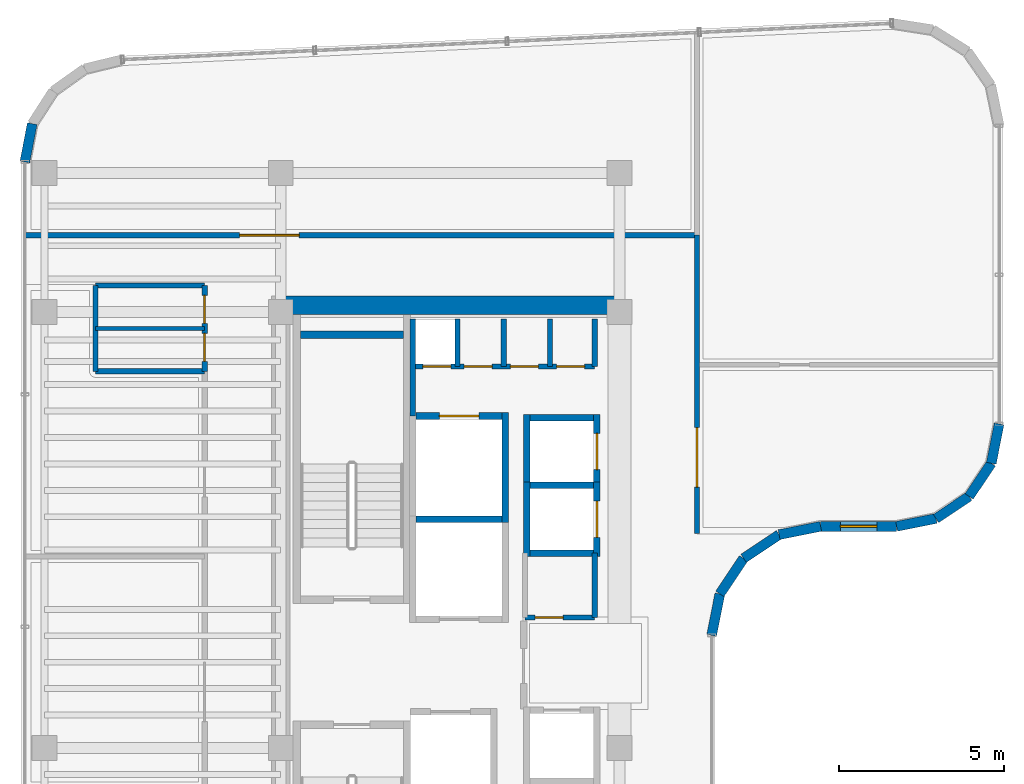
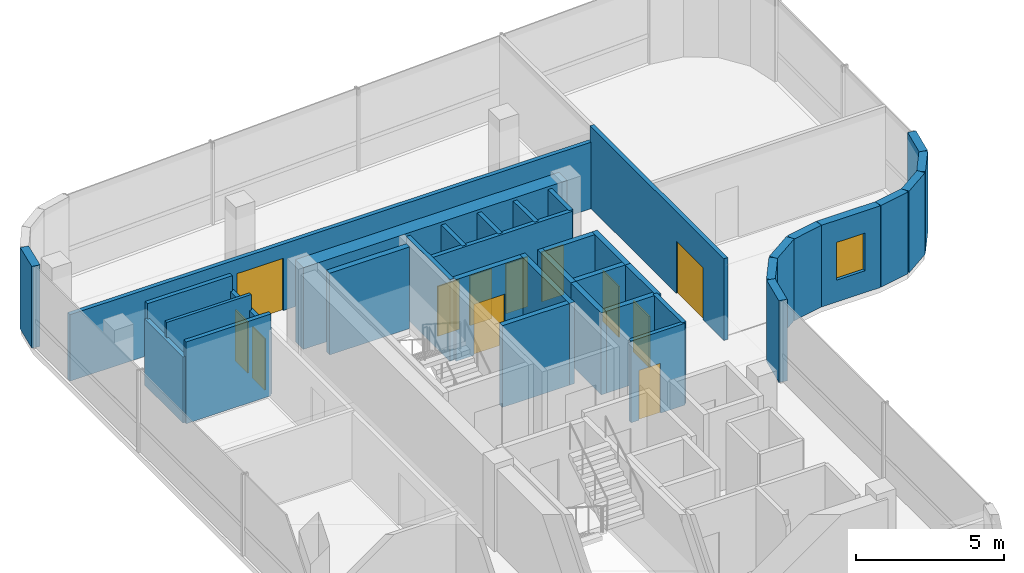
# One storey, part 14 of 17: 37 walls, 12 doors, 1 window, 13 openings.
"""IFC4 building model written with IfcOpenShell, lengths in metres."""

from ifc_helpers import new_model, si_unit, direction, frame, frame_2d, origin, place, context, subcontext, project, spatial, rectangle, extrude, material, layer, layer_set, type_object, element, fill, save


model = new_model("IFC4")

# Units and contexts
model_context = context("Model", 3, precision=1e-05, world=origin(), true_north=direction((0.0, 1.0)))
body_context = subcontext(model_context, "Body", "Model", "MODEL_VIEW")
ifc_project = project(units=[si_unit("LENGTHUNIT", "METRE"), si_unit("AREAUNIT", "SQUARE_METRE"), si_unit("VOLUMEUNIT", "CUBIC_METRE"), si_unit("PLANEANGLEUNIT", "RADIAN"), si_unit("MASSUNIT", "GRAM", prefix="KILO")], contexts=[model_context])

# Site, building, storey
site_placement = place(None, origin())
site = spatial("IfcSite", under=ifc_project, at=site_placement, CompositionType="ELEMENT")
building_placement = place(site_placement, origin())
building = spatial("IfcBuilding", under=site, at=building_placement, Name="Valdorenza Pilgrim Sanctuary Tower", CompositionType="ELEMENT")
storey_placement = place(building_placement, frame((0.0, 0.0, 287.0)))
storey = spatial("IfcBuildingStorey", under=building, at=storey_placement, Name="L75", CompositionType="ELEMENT", Elevation=287.0)

# Wall
ifc_material_1 = material(Name="Acoustic twin-stud gypsum partition", Category="gypsum")
ifc_layer_1 = layer(ifc_material_1, 0.159912109375, Name="Acoustic twin-stud gypsum partition")
ifc_layer_set_1 = layer_set([ifc_layer_1], Name="Acoustic twin-stud gypsum partition")
wall_type_1 = type_object("IfcWallType", Name="WAL-COR-160", PredefinedType="PARTITIONING", material=ifc_layer_set_1)
wall_1_placement = place(storey_placement, frame((-18.64990234375, 7.449951171875, 0.0), z_axis=(0.0, 0.0, 1.0), x_axis=(0.0, 1.0, 0.0)))
element("IfcWall", 1, at=wall_1_placement, inside=storey, type_object=wall_type_1, Name="L75 Core A North Service West Wall", PredefinedType="PARTITIONING", context=body_context, shape_type="SweptSolid", body=[
    extrude(rectangle(XDim=2.929931640625, YDim=0.159912109375, at=frame_2d((1.46484375, 0.0))), origin(), (0.0, 0.0, 1.0), 3.360107421875),
])

# Wall, openings, doors
wall_2_placement = place(storey_placement, frame((-18.64990234375, 8.949951171875, 0.0), z_axis=(0.0, 0.0, 1.0), x_axis=(1.0, 0.0, 0.0)))
wall_2 = element("IfcWall", 2, at=wall_2_placement, inside=storey, type_object=wall_type_1, Name="L75 Core A North Service South Wall", PredefinedType="PARTITIONING", context=body_context, shape_type="SweptSolid", body=[
    extrude(rectangle(XDim=5.5, YDim=0.159912109375, at=frame_2d((2.75, 0.0))), origin(), (0.0, 0.0, 1.0), 3.360107421875),
])
opening_1_placement = place(wall_2_placement, frame((0.300048828125, 0.0, 0.0)))
opening_1 = element("IfcOpeningElement", 3, at=opening_1_placement, cuts=wall_2, Name="Opening DR-RS1", PredefinedType="OPENING", context=body_context, shape_type="SweptSolid", body=[
    extrude(rectangle(XDim=0.85009765625, YDim=2.050048828125, at=frame_2d((0.425048828125, 1.02490234375))), frame((0.0, 0.0947265625, 0.0), z_axis=(0.0, -1.0, 0.0), x_axis=(1.0, 0.0, 0.0)), (0.0, 0.0, 1.0), 0.189697265625),
])
opening_2_placement = place(wall_2_placement, frame((1.550048828125, 0.0, 0.0)))
opening_2 = element("IfcOpeningElement", 4, at=opening_2_placement, cuts=wall_2, Name="Opening DR-RS1", PredefinedType="OPENING", context=body_context, shape_type="SweptSolid", body=[
    extrude(rectangle(XDim=0.85009765625, YDim=2.050048828125, at=frame_2d((0.425048828125, 1.02490234375))), frame((0.0, 0.0947265625, 0.0), z_axis=(0.0, -1.0, 0.0), x_axis=(1.0, 0.0, 0.0)), (0.0, 0.0, 1.0), 0.189697265625),
])
opening_3_placement = place(wall_2_placement, frame((2.949951171875, 0.0, 0.0)))
opening_3 = element("IfcOpeningElement", 5, at=opening_3_placement, cuts=wall_2, Name="Opening DR-RS1", PredefinedType="OPENING", context=body_context, shape_type="SweptSolid", body=[
    extrude(rectangle(XDim=0.85009765625, YDim=2.050048828125, at=frame_2d((0.425048828125, 1.02490234375))), frame((0.0, 0.0947265625, 0.0), z_axis=(0.0, -1.0, 0.0), x_axis=(1.0, 0.0, 0.0)), (0.0, 0.0, 1.0), 0.189697265625),
])
opening_4_placement = place(wall_2_placement, frame((4.35009765625, 0.0, 0.0)))
opening_4 = element("IfcOpeningElement", 6, at=opening_4_placement, cuts=wall_2, Name="Opening DR-RS1", PredefinedType="OPENING", context=body_context, shape_type="SweptSolid", body=[
    extrude(rectangle(XDim=0.85009765625, YDim=2.050048828125, at=frame_2d((0.425048828125, 1.02490234375))), frame((0.0, 0.0947265625, 0.0), z_axis=(0.0, -1.0, 0.0), x_axis=(1.0, 0.0, 0.0)), (0.0, 0.0, 1.0), 0.189697265625),
])
ifc_material_2 = material(Name="Painted galvanized steel", Category="steel")
door_type_1 = type_object("IfcDoorType", Name="DR-RSR-850", OperationType="NOTDEFINED", PredefinedType="DOOR", material=ifc_material_2)
door_1_placement = place(opening_1_placement, origin())
door_1 = element("IfcDoor", 7, at=door_1_placement, inside=storey, type_object=door_type_1, Name="L75 Core Electrical and Telecom Riser Door", OperationType="SINGLE_SWING_LEFT", OverallHeight=2.050048828125, OverallWidth=0.85009765625, PredefinedType="DOOR", context=body_context, shape_type="SweptSolid", body=[
    extrude(rectangle(XDim=0.85009765625, YDim=2.050048828125, at=frame_2d((0.425048828125, 1.02490234375))), frame((0.0, 0.02490234375, 0.0), z_axis=(0.0, -1.0, 0.0), x_axis=(1.0, 0.0, 0.0)), (0.0, 0.0, 1.0), 0.050048828125),
])
fill(opening_1, door_1)
door_2_placement = place(opening_2_placement, origin())
door_2 = element("IfcDoor", 8, at=door_2_placement, inside=storey, type_object=door_type_1, Name="L75 Core Janitor and Maintenance Store Door", OperationType="SINGLE_SWING_RIGHT", OverallHeight=2.050048828125, OverallWidth=0.85009765625, PredefinedType="DOOR", context=body_context, shape_type="SweptSolid", body=[
    extrude(rectangle(XDim=0.85009765625, YDim=2.050048828125, at=frame_2d((0.425048828125, 1.02490234375))), frame((0.0, 0.02490234375, 0.0), z_axis=(0.0, -1.0, 0.0), x_axis=(1.0, 0.0, 0.0)), (0.0, 0.0, 1.0), 0.050048828125),
])
fill(opening_2, door_2)
door_3_placement = place(opening_3_placement, origin())
door_3 = element("IfcDoor", 9, at=door_3_placement, inside=storey, type_object=door_type_1, Name="L75 Core IT Server Closet Door", OperationType="SINGLE_SWING_LEFT", OverallHeight=2.050048828125, OverallWidth=0.85009765625, PredefinedType="DOOR", context=body_context, shape_type="SweptSolid", body=[
    extrude(rectangle(XDim=0.85009765625, YDim=2.050048828125, at=frame_2d((0.425048828125, 1.02490234375))), frame((0.0, 0.02490234375, 0.0), z_axis=(0.0, -1.0, 0.0), x_axis=(1.0, 0.0, 0.0)), (0.0, 0.0, 1.0), 0.050048828125),
])
fill(opening_3, door_3)
door_4_placement = place(opening_4_placement, origin())
door_4 = element("IfcDoor", 10, at=door_4_placement, inside=storey, type_object=door_type_1, Name="L75 Core Staff Washroom Door", OperationType="SINGLE_SWING_RIGHT", OverallHeight=2.050048828125, OverallWidth=0.85009765625, PredefinedType="DOOR", context=body_context, shape_type="SweptSolid", body=[
    extrude(rectangle(XDim=0.85009765625, YDim=2.050048828125, at=frame_2d((0.425048828125, 1.02490234375))), frame((0.0, 0.02490234375, 0.0), z_axis=(0.0, -1.0, 0.0), x_axis=(1.0, 0.0, 0.0)), (0.0, 0.0, 1.0), 0.050048828125),
])
fill(opening_4, door_4)

# Walls
for number, where, z_axis, x_axis, name in (
    (11, (-13.14990234375, 8.949951171875, 0.0), (0.0, 0.0, 1.0), (0.0, 1.0, 0.0), "L75 Core A North Service East Wall"),
    (12, (-17.300048828125, 8.949951171875, 0.0), (0.0, 0.0, 1.0), (0.0, 1.0, 0.0), "L75 Core Electrical Riser Wall"),
    (13, (-15.89990234375, 8.949951171875, 0.0), (0.0, 0.0, 1.0), (0.0, 1.0, 0.0), "L75 Core A Split D1"),
    (14, (-14.5, 8.949951171875, 0.0), (0.0, 0.0, 1.0), (0.0, 1.0, 0.0), "L75 Core A Split D2"),
):
    element("IfcWall", number, at=place(storey_placement, frame(where, z_axis=z_axis, x_axis=x_axis)), inside=storey, type_object=wall_type_1, Name=name, PredefinedType="PARTITIONING", context=body_context, shape_type="SweptSolid", body=[
        extrude(rectangle(XDim=1.429931640625, YDim=0.159912109375, at=frame_2d((0.71484375, 0.0))), origin(), (0.0, 0.0, 1.0), 3.360107421875),
    ])
wall_3_placement = place(storey_placement, frame((-13.14990234375, 1.35009765625, 0.0), z_axis=(0.0, 0.0, 1.0), x_axis=(0.0, 1.0, 0.0)))
element("IfcWall", 15, at=wall_3_placement, inside=storey, type_object=wall_type_1, Name="L75 Freed Shaft 6 East Wall", PredefinedType="PARTITIONING", context=body_context, shape_type="SweptSolid", body=[
    extrude(rectangle(XDim=1.949951171875, YDim=0.159912109375, at=frame_2d((0.97509765625, 0.0))), origin(), (0.0, 0.0, 1.0), 3.360107421875),
])
wall_4_placement = place(storey_placement, frame((-28.25, 8.800048828125, 0.0), z_axis=(0.0, 0.0, 1.0), x_axis=(0.0, 1.0, 0.0)))
element("IfcWall", 16, at=wall_4_placement, inside=storey, type_object=wall_type_1, Name="L75 Washroom West Wall", PredefinedType="PARTITIONING", context=body_context, shape_type="SweptSolid", body=[
    extrude(rectangle(XDim=2.599853515625, YDim=0.159912109375, at=frame_2d((1.2998046875, 0.0))), origin(), (0.0, 0.0, 1.0), 2.722900390625),
])

# Wall, openings, doors
wall_5_placement = place(storey_placement, frame((-24.949951171875, 8.800048828125, 0.0), z_axis=(0.0, 0.0, 1.0), x_axis=(0.0, 1.0, 0.0)))
wall_5 = element("IfcWall", 17, at=wall_5_placement, inside=storey, type_object=wall_type_1, Name="L75 Washroom East Wall", PredefinedType="PARTITIONING", context=body_context, shape_type="SweptSolid", body=[
    extrude(rectangle(XDim=2.599853515625, YDim=0.159912109375, at=frame_2d((1.2998046875, 0.0))), origin(), (0.0, 0.0, 1.0), 2.722900390625),
])
opening_5_placement = place(wall_5_placement, frame((0.300048828125, 0.0, 0.0)))
opening_5 = element("IfcOpeningElement", 18, at=opening_5_placement, cuts=wall_5, Name="Opening DR-WC1", PredefinedType="OPENING", context=body_context, shape_type="SweptSolid", body=[
    extrude(rectangle(XDim=0.85009765625, YDim=2.10009765625, at=frame_2d((0.425048828125, 1.050048828125))), frame((0.0, 0.0947265625, 0.0), z_axis=(0.0, -1.0, 0.0), x_axis=(1.0, 0.0, 0.0)), (0.0, 0.0, 1.0), 0.189697265625),
])
opening_6_placement = place(wall_5_placement, frame((1.449951171875, 0.0, 0.0)))
opening_6 = element("IfcOpeningElement", 19, at=opening_6_placement, cuts=wall_5, Name="Opening DR-WC1", PredefinedType="OPENING", context=body_context, shape_type="SweptSolid", body=[
    extrude(rectangle(XDim=0.85009765625, YDim=2.10009765625, at=frame_2d((0.425048828125, 1.050048828125))), frame((0.0, 0.0947265625, 0.0), z_axis=(0.0, -1.0, 0.0), x_axis=(1.0, 0.0, 0.0)), (0.0, 0.0, 1.0), 0.189697265625),
])
ifc_material_3 = material(Name="Moisture-resistant lacquered timber", Category="wood")
door_type_2 = type_object("IfcDoorType", Name="DR-BATH-850", OperationType="NOTDEFINED", PredefinedType="DOOR", material=ifc_material_3)
door_5_placement = place(opening_5_placement, origin())
door_5 = element("IfcDoor", 20, at=door_5_placement, inside=storey, type_object=door_type_2, Name="L75 Accessible Washroom Door", OperationType="SINGLE_SWING_LEFT", OverallHeight=2.10009765625, OverallWidth=0.85009765625, PredefinedType="DOOR", context=body_context, shape_type="SweptSolid", body=[
    extrude(rectangle(XDim=0.85009765625, YDim=2.10009765625, at=frame_2d((0.425048828125, 1.050048828125))), frame((0.0, 0.02490234375, 0.0), z_axis=(0.0, -1.0, 0.0), x_axis=(1.0, 0.0, 0.0)), (0.0, 0.0, 1.0), 0.050048828125),
])
fill(opening_5, door_5)
door_6_placement = place(opening_6_placement, origin())
door_6 = element("IfcDoor", 21, at=door_6_placement, inside=storey, type_object=door_type_2, Name="L75 Public Washroom Door", OperationType="SINGLE_SWING_RIGHT", OverallHeight=2.10009765625, OverallWidth=0.85009765625, PredefinedType="DOOR", context=body_context, shape_type="SweptSolid", body=[
    extrude(rectangle(XDim=0.85009765625, YDim=2.10009765625, at=frame_2d((0.425048828125, 1.050048828125))), frame((0.0, 0.02490234375, 0.0), z_axis=(0.0, -1.0, 0.0), x_axis=(1.0, 0.0, 0.0)), (0.0, 0.0, 1.0), 0.050048828125),
])
fill(opening_6, door_6)

# Walls
for number, where, z_axis, x_axis, name in (
    (22, (-28.25, 8.800048828125, 0.0), (0.0, 0.0, 1.0), (1.0, 0.0, 0.0), "L75 Washroom South Wall"),
    (23, (-28.25, 11.39990234375, 0.0), (0.0, 0.0, 1.0), (1.0, 0.0, 0.0), "L75 Washroom North Wall"),
):
    element("IfcWall", number, at=place(storey_placement, frame(where, z_axis=z_axis, x_axis=x_axis)), inside=storey, type_object=wall_type_1, Name=name, PredefinedType="PARTITIONING", context=body_context, shape_type="SweptSolid", body=[
        extrude(rectangle(XDim=3.300048828125, YDim=0.159912109375, at=frame_2d((1.64990234375, 0.0))), origin(), (0.0, 0.0, 1.0), 3.360107421875),
    ])

# Wall, opening, door
wall_6_placement = place(storey_placement, frame((-30.389892578125, 12.919921875, 0.0), z_axis=(0.0, 0.0, 1.0), x_axis=(1.0, 0.0, 0.0)))
wall_6 = element("IfcWall", 24, at=wall_6_placement, inside=storey, type_object=wall_type_1, Name="L75 Sky North Salon Wall", PredefinedType="PARTITIONING", context=body_context, shape_type="SweptSolid", body=[
    extrude(rectangle(XDim=20.33984375, YDim=0.159912109375, at=frame_2d((10.169921875, 0.0))), origin(), (0.0, 0.0, 1.0), 2.73388671875),
])
opening_7_placement = place(wall_6_placement, frame((6.5, 0.0, 0.0)))
opening_7 = element("IfcOpeningElement", 25, at=opening_7_placement, cuts=wall_6, Name="Opening DR-HL1", PredefinedType="OPENING", context=body_context, shape_type="SweptSolid", body=[
    extrude(rectangle(XDim=1.800048828125, YDim=2.14990234375, at=frame_2d((0.89990234375, 1.074951171875))), frame((0.0, 0.0947265625, 0.0), z_axis=(0.0, -1.0, 0.0), x_axis=(1.0, 0.0, 0.0)), (0.0, 0.0, 1.0), 0.189697265625),
])
ifc_material_4 = material(Name="Acoustic oak and vision-glass double door", Category="glass")
door_type_3 = type_object("IfcDoorType", Name="DR-HALL-1800", OperationType="NOTDEFINED", PredefinedType="DOOR", material=ifc_material_4)
door_7_placement = place(opening_7_placement, origin())
door_7 = element("IfcDoor", 26, at=door_7_placement, inside=storey, type_object=door_type_3, Name="L75 Cloud Reading Lounge Door", OperationType="DOUBLE_DOOR_SINGLE_SWING", OverallHeight=2.14990234375, OverallWidth=1.800048828125, PredefinedType="DOOR", context=body_context, shape_type="SweptSolid", body=[
    extrude(rectangle(XDim=1.800048828125, YDim=2.14990234375, at=frame_2d((0.89990234375, 1.074951171875))), frame((0.0, 0.02490234375, 0.0), z_axis=(0.0, -1.0, 0.0), x_axis=(1.0, 0.0, 0.0)), (0.0, 0.0, 1.0), 0.050048828125),
])
fill(opening_7, door_7)

wall_7_placement = place(storey_placement, frame((-10.050048828125, 3.89990234375, 0.0), z_axis=(0.0, 0.0, 1.0), x_axis=(0.0, 1.0, 0.0)))
wall_7 = element("IfcWall", 27, at=wall_7_placement, inside=storey, type_object=wall_type_1, Name="L75 Sky East Gallery Wall", PredefinedType="PARTITIONING", context=body_context, shape_type="SweptSolid", body=[
    extrude(rectangle(XDim=9.02001953125, YDim=0.159912109375, at=frame_2d((4.510009765625, 0.0))), origin(), (0.0, 0.0, 1.0), 3.360107421875),
])
opening_8_placement = place(wall_7_placement, frame((1.39990234375, 0.0, 0.0)))
opening_8 = element("IfcOpeningElement", 28, at=opening_8_placement, cuts=wall_7, Name="Opening DR-HL1", PredefinedType="OPENING", context=body_context, shape_type="SweptSolid", body=[
    extrude(rectangle(XDim=1.800048828125, YDim=2.14990234375, at=frame_2d((0.89990234375, 1.074951171875))), frame((0.0, 0.0947265625, 0.0), z_axis=(0.0, -1.0, 0.0), x_axis=(1.0, 0.0, 0.0)), (0.0, 0.0, 1.0), 0.189697265625),
])
door_8_placement = place(opening_8_placement, frame((1.800048828125, 0.0, 0.0), z_axis=(0.0, 0.0, 1.0), x_axis=(-1.0, 0.0, 0.0)))
door_8 = element("IfcDoor", 29, at=door_8_placement, inside=storey, type_object=door_type_3, Name="L75 Sky East Gallery Door", OperationType="DOUBLE_DOOR_SINGLE_SWING", OverallHeight=2.14990234375, OverallWidth=1.800048828125, PredefinedType="DOOR", context=body_context, shape_type="SweptSolid", body=[
    extrude(rectangle(XDim=1.800048828125, YDim=2.14990234375, at=frame_2d((0.89990234375, 1.074951171875))), frame((0.0, 0.02490234375, 0.0), z_axis=(0.0, -1.0, 0.0), x_axis=(1.0, 0.0, 0.0)), (0.0, 0.0, 1.0), 0.050048828125),
])
fill(opening_8, door_8)

# Walls
ifc_material_5 = material(Name="Concrete C50/60", Category="concrete")
ifc_layer_2 = layer(ifc_material_5, 0.550048828125, Name="Concrete C50/60")
ifc_layer_set_2 = layer_set([ifc_layer_2], Name="Concrete C50/60")
wall_type_2 = type_object("IfcWallType", Name="WAL-COR-550", PredefinedType="SHEAR", material=ifc_layer_set_2)
wall_8_placement = place(storey_placement, frame((-22.64990234375, 10.800048828125, 0.0), z_axis=(0.0, 0.0, 1.0), x_axis=(1.0, 0.0, 0.0)))
element("IfcWall", 30, at=wall_8_placement, inside=storey, type_object=wall_type_2, Name="L75 Split Core A Shear Wall N", PredefinedType="SHEAR", context=body_context, shape_type="SweptSolid", body=[
    extrude(rectangle(XDim=10.25, YDim=0.550048828125, at=frame_2d((5.125, 0.0))), origin(), (0.0, 0.0, 1.0), 3.360107421875),
])
ifc_material_6 = material(Name="Honed travertine limestone", Category="masonry")
ifc_layer_3 = layer(ifc_material_6, 0.300048828125, Name="Honed travertine limestone")
ifc_layer_set_3 = layer_set([ifc_layer_3], Name="Honed travertine limestone")
wall_type_3 = type_object("IfcWallType", Name="WAL-EXT-300", PredefinedType="SOLIDWALL", material=ifc_layer_set_3)
wall_9_placement = place(storey_placement, frame((-30.389892578125, 15.13671875, 0.0), z_axis=(0.0, 0.0, 1.0), x_axis=(0.189307792679, 0.981917796779, 0.0)))
element("IfcWall", 31, at=wall_9_placement, inside=storey, type_object=wall_type_3, Name="L75 Rounded Wind-Corner Stone Pier 2", PredefinedType="SOLIDWALL", context=body_context, shape_type="SweptSolid", body=[
    extrude(rectangle(XDim=1.179931640625, YDim=0.300048828125, at=frame_2d((0.58984375, 0.0))), origin(), (0.0, 0.0, 1.0), 3.360107421875),
])
wall_10_placement = place(storey_placement, frame((-0.909912109375, 7.210693359375, 0.0), z_axis=(0.0, 0.0, 1.0), x_axis=(-0.195189223115, -0.980765602568, 0.0)))
element("IfcWall", 32, at=wall_10_placement, inside=storey, type_object=wall_type_3, Name="L75 Rounded Wind-Corner Stone Pier 12", PredefinedType="SOLIDWALL", context=body_context, shape_type="SweptSolid", body=[
    extrude(rectangle(XDim=1.2158203125, YDim=0.300048828125, at=frame_2d((0.60791015625, 0.0))), origin(), (0.0, 0.0, 1.0), 3.360107421875),
])
for number, where, z_axis, x_axis, name in (
    (33, (-1.147216796875, 6.018310546875, 0.0), (0.0, 0.0, 1.0), (-0.555635100982, -0.831426265255, 0.0), "L75 Rounded Wind-Corner Stone Pier 13"),
    (34, (-1.816650390625, 5.0166015625, 0.0), (0.0, 0.0, 1.0), (-0.831426265255, -0.555635100982, 0.0), "L75 Rounded Wind-Corner Stone Pier 14"),
):
    element("IfcWall", number, at=place(storey_placement, frame(where, z_axis=z_axis, x_axis=x_axis)), inside=storey, type_object=wall_type_3, Name=name, PredefinedType="SOLIDWALL", context=body_context, shape_type="SweptSolid", body=[
        extrude(rectangle(XDim=1.204833984375, YDim=0.300048828125, at=frame_2d((0.6025390625, 0.0))), origin(), (0.0, 0.0, 1.0), 3.360107421875),
    ])
wall_11_placement = place(storey_placement, frame((-2.818359375, 4.34716796875, 0.0), z_axis=(0.0, 0.0, 1.0), x_axis=(-0.980804027463, -0.194996050505, 0.0)))
element("IfcWall", 35, at=wall_11_placement, inside=storey, type_object=wall_type_3, Name="L75 Rounded Wind-Corner Stone Pier 15", PredefinedType="SOLIDWALL", context=body_context, shape_type="SweptSolid", body=[
    extrude(rectangle(XDim=1.2158203125, YDim=0.300048828125, at=frame_2d((0.60791015625, 0.0))), origin(), (0.0, 0.0, 1.0), 3.360107421875),
])

# Wall, opening, window
wall_12_placement = place(storey_placement, frame((-4.0107421875, 4.110107421875, 0.0), z_axis=(0.0, 0.0, 1.0), x_axis=(-1.0, 0.0, 0.0)))
wall_12 = element("IfcWall", 36, at=wall_12_placement, inside=storey, type_object=wall_type_3, Name="L75 Rounded Wind-Corner Stone Pier 16", PredefinedType="SOLIDWALL", context=body_context, shape_type="SweptSolid", body=[
    extrude(rectangle(XDim=2.300048828125, YDim=0.300048828125, at=frame_2d((1.14990234375, 0.0))), origin(), (0.0, 0.0, 1.0), 3.360107421875),
])
opening_9_placement = place(wall_12_placement, frame((0.60009765625, 0.0, 0.89990234375)))
opening_9 = element("IfcOpeningElement", 37, at=opening_9_placement, cuts=wall_12, Name="Opening WN-CR1", PredefinedType="OPENING", context=body_context, shape_type="SweptSolid", body=[
    extrude(rectangle(XDim=1.10009765625, YDim=1.550048828125, at=frame_2d((0.550048828125, 0.77490234375))), frame((0.0, 0.1650390625, 0.0), z_axis=(0.0, -1.0, 0.0), x_axis=(1.0, 0.0, 0.0)), (0.0, 0.0, 1.0), 0.329833984375),
])
ifc_material_7 = material(Name="Ceramic-fritted low-E IGU glazing", Category="glass")
window_type = type_object("IfcWindowType", Name="WIN-CRN-1200", PartitioningType="SINGLE_PANEL", PredefinedType="WINDOW", material=ifc_material_7)
window_placement = place(opening_9_placement, origin())
window = element("IfcWindow", 38, at=window_placement, inside=storey, type_object=window_type, Name="L75 Rounded Corner Slot Window 16", OverallHeight=1.550048828125, OverallWidth=1.10009765625, PartitioningType="SINGLE_PANEL", PredefinedType="WINDOW", context=body_context, shape_type="SweptSolid", body=[
    extrude(rectangle(XDim=1.10009765625, YDim=1.550048828125, at=frame_2d((0.550048828125, 0.77490234375))), frame((0.0, 0.030029296875, 0.0), z_axis=(0.0, -1.0, 0.0), x_axis=(1.0, 0.0, 0.0)), (0.0, 0.0, 1.0), 0.06005859375),
])
fill(opening_9, window)

# Walls
wall_13_placement = place(storey_placement, frame((-6.310791015625, 4.110107421875, 0.0), z_axis=(0.0, 0.0, 1.0), x_axis=(-0.980778058848, -0.195126623715, 0.0)))
element("IfcWall", 39, at=wall_13_placement, inside=storey, type_object=wall_type_3, Name="L75 Rounded Wind-Corner Stone Pier 17", PredefinedType="SOLIDWALL", context=body_context, shape_type="SweptSolid", body=[
    extrude(rectangle(XDim=1.28125, YDim=0.300048828125, at=frame_2d((0.640625, 0.0))), origin(), (0.0, 0.0, 1.0), 3.360107421875),
])
for number, where, z_axis, x_axis, name in (
    (40, (-7.5673828125, 3.860107421875, 0.0), (0.0, 0.0, 1.0), (-0.831497739511, -0.555528135371, 0.0), "L75 Rounded Wind-Corner Stone Pier 18"),
    (41, (-8.64208984375, 3.14208984375, 0.0), (0.0, 0.0, 1.0), (-0.555528135371, -0.831497739511, 0.0), "L75 Rounded Wind-Corner Stone Pier 19"),
):
    element("IfcWall", number, at=place(storey_placement, frame(where, z_axis=z_axis, x_axis=x_axis)), inside=storey, type_object=wall_type_3, Name=name, PredefinedType="SOLIDWALL", context=body_context, shape_type="SweptSolid", body=[
        extrude(rectangle(XDim=1.29248046875, YDim=0.300048828125, at=frame_2d((0.646240234375, 0.0))), origin(), (0.0, 0.0, 1.0), 3.360107421875),
    ])
wall_14_placement = place(storey_placement, frame((-9.360107421875, 2.0673828125, 0.0), z_axis=(0.0, 0.0, 1.0), x_axis=(-0.195126623715, -0.980778058848, 0.0)))
element("IfcWall", 42, at=wall_14_placement, inside=storey, type_object=wall_type_3, Name="L75 Rounded Wind-Corner Stone Pier 20", PredefinedType="SOLIDWALL", context=body_context, shape_type="SweptSolid", body=[
    extrude(rectangle(XDim=1.28125, YDim=0.300048828125, at=frame_2d((0.640625, 0.0))), origin(), (0.0, 0.0, 1.0), 3.360107421875),
])
ifc_material_8 = material(Name="Moisture-resistant gypsum partition", Category="gypsum")
ifc_layer_4 = layer(ifc_material_8, 0.1201171875, Name="Moisture-resistant gypsum partition")
ifc_layer_set_4 = layer_set([ifc_layer_4], Name="Moisture-resistant gypsum partition")
wall_type_4 = type_object("IfcWallType", Name="WAL-INT-120", PredefinedType="PARTITIONING", material=ifc_layer_set_4)
wall_15_placement = place(storey_placement, frame((-28.25, 10.10009765625, 0.0), z_axis=(0.0, 0.0, 1.0), x_axis=(1.0, 0.0, 0.0)))
element("IfcWall", 43, at=wall_15_placement, inside=storey, type_object=wall_type_4, Name="L75 Washroom Divider Wall", PredefinedType="PARTITIONING", context=body_context, shape_type="SweptSolid", body=[
    extrude(rectangle(XDim=3.300048828125, YDim=0.1201171875, at=frame_2d((1.64990234375, 0.0))), origin(), (0.0, 0.0, 1.0), 3.360107421875),
])
ifc_material_9 = material(Name="Autoclaved aerated concrete blockwork", Category="masonry")
ifc_layer_5 = layer(ifc_material_9, 0.199951171875, Name="Autoclaved aerated concrete blockwork")
ifc_layer_set_5 = layer_set([ifc_layer_5], Name="Autoclaved aerated concrete blockwork")
wall_type_5 = type_object("IfcWallType", Name="WAL-SHF-200", PredefinedType="MOVABLE", material=ifc_layer_set_5)
wall_16_placement = place(storey_placement, frame((-18.550048828125, 4.324951171875, 0.0), z_axis=(0.0, 0.0, 1.0), x_axis=(1.0, 0.0, 0.0)))
element("IfcWall", 44, at=wall_16_placement, inside=storey, type_object=wall_type_5, Name="L75 Lift FFL-01 Hoistway Wall North", PredefinedType="MOVABLE", context=body_context, shape_type="SweptSolid", body=[
    extrude(rectangle(XDim=2.60009765625, YDim=0.199951171875, at=frame_2d((1.300048828125, 0.0))), origin(), (0.0, 0.0, 1.0), 3.360107421875),
])
wall_17_placement = place(storey_placement, frame((-15.85009765625, 4.22509765625, 0.0), z_axis=(0.0, 0.0, 1.0), x_axis=(0.0, 1.0, 0.0)))
element("IfcWall", 45, at=wall_17_placement, inside=storey, type_object=wall_type_5, Name="L75 Lift SVL-01 Hoistway Wall East", PredefinedType="MOVABLE", context=body_context, shape_type="SweptSolid", body=[
    extrude(rectangle(XDim=3.324951171875, YDim=0.199951171875, at=frame_2d((1.66259765625, 0.0))), origin(), (0.0, 0.0, 1.0), 3.360107421875),
])

# Wall, opening, door
wall_18_placement = place(storey_placement, frame((-18.550048828125, 7.449951171875, 0.0), z_axis=(0.0, 0.0, 1.0), x_axis=(1.0, 0.0, 0.0)))
wall_18 = element("IfcWall", 46, at=wall_18_placement, inside=storey, type_object=wall_type_5, Name="L75 Lift SVL-01 Hoistway Wall North", PredefinedType="MOVABLE", context=body_context, shape_type="SweptSolid", body=[
    extrude(rectangle(XDim=2.60009765625, YDim=0.199951171875, at=frame_2d((1.300048828125, 0.0))), origin(), (0.0, 0.0, 1.0), 3.360107421875),
])
opening_10_placement = place(wall_18_placement, frame((0.699951171875, 0.0, 0.0)))
opening_10 = element("IfcOpeningElement", 47, at=opening_10_placement, cuts=wall_18, Name="Opening LD-02", PredefinedType="OPENING", context=body_context, shape_type="SweptSolid", body=[
    extrude(rectangle(XDim=1.199951171875, YDim=2.10009765625, at=frame_2d((0.60009765625, 1.050048828125))), frame((0.0, 0.11474609375, 0.0), z_axis=(0.0, -1.0, 0.0), x_axis=(1.0, 0.0, 0.0)), (0.0, 0.0, 1.0), 0.229736328125),
])
ifc_material_10 = material(Name="Brushed stainless steel Grade 316", Category="steel")
door_type_4 = type_object("IfcDoorType", Name="DR-LFT-1200", OperationType="DOUBLE_DOOR_SLIDING", PredefinedType="DOOR", material=ifc_material_10)
door_9_placement = place(opening_10_placement, origin())
door_9 = element("IfcDoor", 48, at=door_9_placement, inside=storey, type_object=door_type_4, Name="L75 Lift SVL-01 Sliding Landing Door", OperationType="DOUBLE_DOOR_SLIDING", OverallHeight=2.10009765625, OverallWidth=1.199951171875, PredefinedType="DOOR", context=body_context, shape_type="SweptSolid", body=[
    extrude(rectangle(XDim=1.199951171875, YDim=2.10009765625, at=frame_2d((0.60009765625, 1.050048828125))), frame((0.0, 0.02490234375, 0.0), z_axis=(0.0, -1.0, 0.0), x_axis=(1.0, 0.0, 0.0)), (0.0, 0.0, 1.0), 0.050048828125),
])
fill(opening_10, door_9)

# Wall
wall_19_placement = place(storey_placement, frame((-15.199951171875, 3.199951171875, 0.0), z_axis=(0.0, 0.0, 1.0), x_axis=(0.0, 1.0, 0.0)))
element("IfcWall", 49, at=wall_19_placement, inside=storey, type_object=wall_type_5, Name="L75 Lift PL-09 Hoistway Wall West", PredefinedType="MOVABLE", context=body_context, shape_type="SweptSolid", body=[
    extrude(rectangle(XDim=2.25, YDim=0.199951171875, at=frame_2d((1.125, 0.0))), origin(), (0.0, 0.0, 1.0), 3.360107421875),
])

# Wall, opening, door
wall_20_placement = place(storey_placement, frame((-13.080078125, 3.199951171875, 0.0), z_axis=(0.0, 0.0, 1.0), x_axis=(0.0, 1.0, 0.0)))
wall_20 = element("IfcWall", 50, at=wall_20_placement, inside=storey, type_object=wall_type_5, Name="L75 Lift PL-09 Hoistway Wall East", PredefinedType="MOVABLE", context=body_context, shape_type="SweptSolid", body=[
    extrude(rectangle(XDim=2.25, YDim=0.199951171875, at=frame_2d((1.125, 0.0))), origin(), (0.0, 0.0, 1.0), 3.360107421875),
])
opening_11_placement = place(wall_20_placement, frame((0.574951171875, 0.0, 0.0)))
opening_11 = element("IfcOpeningElement", 51, at=opening_11_placement, cuts=wall_20, Name="Opening LD-01", PredefinedType="OPENING", context=body_context, shape_type="SweptSolid", body=[
    extrude(rectangle(XDim=1.10009765625, YDim=2.10009765625, at=frame_2d((0.550048828125, 1.050048828125))), frame((0.0, 0.11474609375, 0.0), z_axis=(0.0, -1.0, 0.0), x_axis=(1.0, 0.0, 0.0)), (0.0, 0.0, 1.0), 0.229736328125),
])
door_type_5 = type_object("IfcDoorType", Name="DR-LFT-1100", OperationType="DOUBLE_DOOR_SLIDING", PredefinedType="DOOR", material=ifc_material_10)
door_10_placement = place(opening_11_placement, origin())
door_10 = element("IfcDoor", 52, at=door_10_placement, inside=storey, type_object=door_type_5, Name="L75 Lift PL-09 Sliding Landing Door", OperationType="DOUBLE_DOOR_SLIDING", OverallHeight=2.10009765625, OverallWidth=1.10009765625, PredefinedType="DOOR", context=body_context, shape_type="SweptSolid", body=[
    extrude(rectangle(XDim=1.10009765625, YDim=2.10009765625, at=frame_2d((0.550048828125, 1.050048828125))), frame((0.0, 0.02490234375, 0.0), z_axis=(0.0, -1.0, 0.0), x_axis=(1.0, 0.0, 0.0)), (0.0, 0.0, 1.0), 0.050048828125),
])
fill(opening_11, door_10)

# Walls
for number, where, z_axis, x_axis, name in (
    (53, (-15.10009765625, 3.300048828125, 0.0), (0.0, 0.0, 1.0), (1.0, 0.0, 0.0), "L75 Lift PL-09 Hoistway Wall South"),
    (54, (-15.10009765625, 5.35009765625, 0.0), (0.0, 0.0, 1.0), (1.0, 0.0, 0.0), "L75 Lift PL-09 Hoistway Wall North"),
):
    element("IfcWall", number, at=place(storey_placement, frame(where, z_axis=z_axis, x_axis=x_axis)), inside=storey, type_object=wall_type_5, Name=name, PredefinedType="MOVABLE", context=body_context, shape_type="SweptSolid", body=[
        extrude(rectangle(XDim=1.920166015625, YDim=0.199951171875, at=frame_2d((0.9599609375, 0.0))), origin(), (0.0, 0.0, 1.0), 3.360107421875),
    ])
wall_21_placement = place(storey_placement, frame((-15.199951171875, 5.25, 0.0), z_axis=(0.0, 0.0, 1.0), x_axis=(0.0, 1.0, 0.0)))
element("IfcWall", 55, at=wall_21_placement, inside=storey, type_object=wall_type_5, Name="L75 Lift PL-10 Hoistway Wall West", PredefinedType="MOVABLE", context=body_context, shape_type="SweptSolid", body=[
    extrude(rectangle(XDim=2.25, YDim=0.199951171875, at=frame_2d((1.125, 0.0))), origin(), (0.0, 0.0, 1.0), 3.360107421875),
])

# Wall, opening, door
wall_22_placement = place(storey_placement, frame((-13.080078125, 5.25, 0.0), z_axis=(0.0, 0.0, 1.0), x_axis=(0.0, 1.0, 0.0)))
wall_22 = element("IfcWall", 56, at=wall_22_placement, inside=storey, type_object=wall_type_5, Name="L75 Lift PL-10 Hoistway Wall East", PredefinedType="MOVABLE", context=body_context, shape_type="SweptSolid", body=[
    extrude(rectangle(XDim=2.25, YDim=0.199951171875, at=frame_2d((1.125, 0.0))), origin(), (0.0, 0.0, 1.0), 3.360107421875),
])
opening_12_placement = place(wall_22_placement, frame((0.574951171875, 0.0, 0.0)))
opening_12 = element("IfcOpeningElement", 57, at=opening_12_placement, cuts=wall_22, Name="Opening LD-01", PredefinedType="OPENING", context=body_context, shape_type="SweptSolid", body=[
    extrude(rectangle(XDim=1.10009765625, YDim=2.10009765625, at=frame_2d((0.550048828125, 1.050048828125))), frame((0.0, 0.11474609375, 0.0), z_axis=(0.0, -1.0, 0.0), x_axis=(1.0, 0.0, 0.0)), (0.0, 0.0, 1.0), 0.229736328125),
])
door_11_placement = place(opening_12_placement, origin())
door_11 = element("IfcDoor", 58, at=door_11_placement, inside=storey, type_object=door_type_5, Name="L75 Lift PL-10 Sliding Landing Door", OperationType="DOUBLE_DOOR_SLIDING", OverallHeight=2.10009765625, OverallWidth=1.10009765625, PredefinedType="DOOR", context=body_context, shape_type="SweptSolid", body=[
    extrude(rectangle(XDim=1.10009765625, YDim=2.10009765625, at=frame_2d((0.550048828125, 1.050048828125))), frame((0.0, 0.02490234375, 0.0), z_axis=(0.0, -1.0, 0.0), x_axis=(1.0, 0.0, 0.0)), (0.0, 0.0, 1.0), 0.050048828125),
])
fill(opening_12, door_11)

# Walls
wall_23_placement = place(storey_placement, frame((-15.10009765625, 7.39990234375, 0.0), z_axis=(0.0, 0.0, 1.0), x_axis=(1.0, 0.0, 0.0)))
element("IfcWall", 59, at=wall_23_placement, inside=storey, type_object=wall_type_5, Name="L75 Lift PL-10 Hoistway Wall North", PredefinedType="MOVABLE", context=body_context, shape_type="SweptSolid", body=[
    extrude(rectangle(XDim=1.920166015625, YDim=0.199951171875, at=frame_2d((0.9599609375, 0.0))), origin(), (0.0, 0.0, 1.0), 3.360107421875),
])
ifc_material_11 = material(Name="Concrete C40/50", Category="concrete")
ifc_layer_6 = layer(ifc_material_11, 0.219970703125, Name="Concrete C40/50")
ifc_layer_set_6 = layer_set([ifc_layer_6], Name="Concrete C40/50")
wall_type_6 = type_object("IfcWallType", Name="WAL-STR-SHF-220", PredefinedType="SHEAR", material=ifc_layer_set_6)
wall_24_placement = place(storey_placement, frame((-22.050048828125, 9.909912109375, 0.0), z_axis=(0.0, 0.0, 1.0), x_axis=(1.0, 0.0, 0.0)))
element("IfcWall", 60, at=wall_24_placement, inside=storey, type_object=wall_type_6, Name="L75 ST-A1 Structural Stairwell Wall N", PredefinedType="SHEAR", context=body_context, shape_type="SweptSolid", body=[
    extrude(rectangle(XDim=3.110107421875, YDim=0.219970703125, at=frame_2d((1.55517578125, 0.0))), origin(), (0.0, 0.0, 1.0), 3.360107421875),
])

# Wall, opening, door
ifc_layer_7 = layer(ifc_material_1, 0.14990234375, Name="Acoustic twin-stud gypsum partition")
ifc_layer_set_7 = layer_set([ifc_layer_7], Name="Acoustic twin-stud gypsum partition")
wall_type_7 = type_object("IfcWallType", Name="WAL-UNT-150", PredefinedType="PARTITIONING", material=ifc_layer_set_7)
wall_25_placement = place(storey_placement, frame((-15.25, 1.35009765625, 0.0), z_axis=(0.0, 0.0, 1.0), x_axis=(1.0, 0.0, 0.0)))
wall_25 = element("IfcWall", 61, at=wall_25_placement, inside=storey, type_object=wall_type_7, Name="L75 Freed Shaft 6 South Wall", PredefinedType="PARTITIONING", context=body_context, shape_type="SweptSolid", body=[
    extrude(rectangle(XDim=2.10009765625, YDim=0.14990234375, at=frame_2d((1.050048828125, 0.0))), origin(), (0.0, 0.0, 1.0), 3.360107421875),
])
opening_13_placement = place(wall_25_placement, frame((0.300048828125, 0.0, 0.0)))
opening_13 = element("IfcOpeningElement", 62, at=opening_13_placement, cuts=wall_25, Name="Opening DR-RS1", PredefinedType="OPENING", context=body_context, shape_type="SweptSolid", body=[
    extrude(rectangle(XDim=0.85009765625, YDim=2.050048828125, at=frame_2d((0.425048828125, 1.02490234375))), frame((0.0, 0.08984375, 0.0), z_axis=(0.0, -1.0, 0.0), x_axis=(1.0, 0.0, 0.0)), (0.0, 0.0, 1.0), 0.1796875),
])
door_12_placement = place(opening_13_placement, origin())
door_12 = element("IfcDoor", 63, at=door_12_placement, inside=storey, type_object=door_type_1, Name="L75 High-Rise Butler Pantry Door", OperationType="SINGLE_SWING_RIGHT", OverallHeight=2.050048828125, OverallWidth=0.85009765625, PredefinedType="DOOR", context=body_context, shape_type="SweptSolid", body=[
    extrude(rectangle(XDim=0.85009765625, YDim=2.050048828125, at=frame_2d((0.425048828125, 1.02490234375))), frame((0.0, 0.02490234375, 0.0), z_axis=(0.0, -1.0, 0.0), x_axis=(1.0, 0.0, 0.0)), (0.0, 0.0, 1.0), 0.050048828125),
])
fill(opening_13, door_12)

save(model, "model.ifc")
